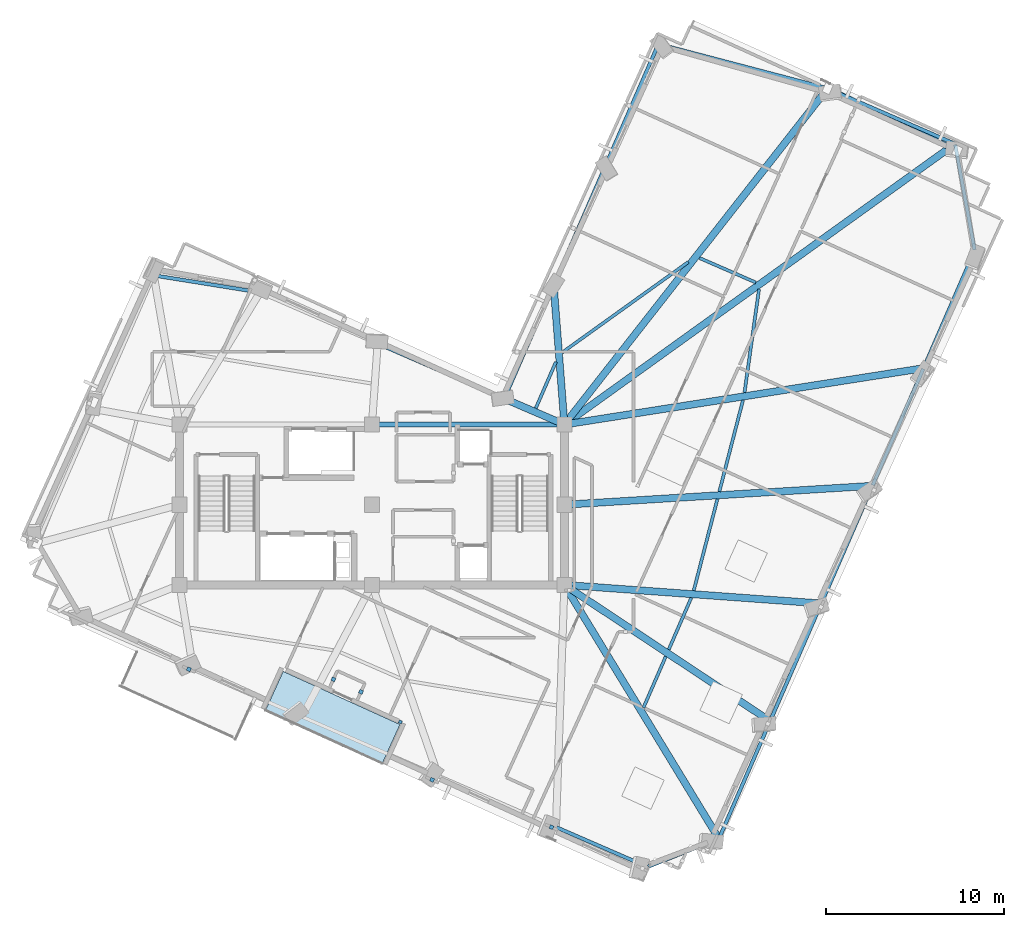
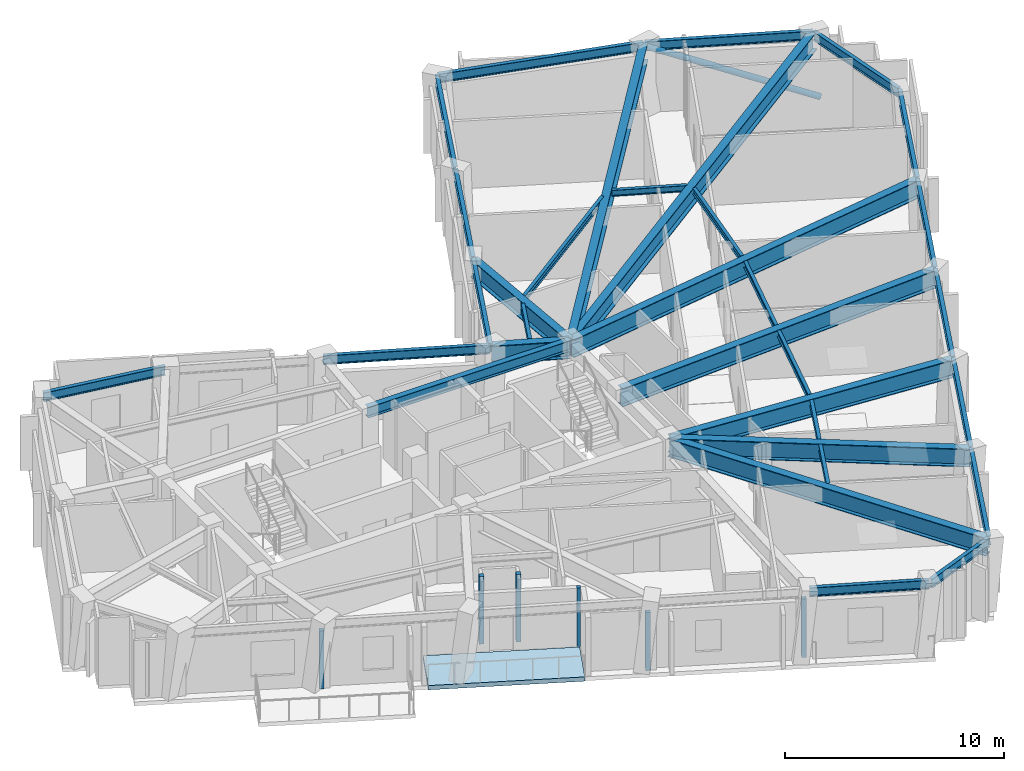
# One storey, part 2 of 13: 33 beams, 6 plates, 1 member, 1 slab.
"""IFC4 building model written with IfcOpenShell, lengths in metres."""

from ifc_helpers import new_model, si_unit, direction, frame, origin, origin_2d, place, context, subcontext, project, spatial, polyline, rectangle, hollow_circle, i_section, outline, extrude, material, layer, layer_set, material_profile, profile_set, type_object, element, save


model = new_model("IFC4")

# Units and contexts
model_context = context("Model", 3, precision=1e-05, world=origin(), true_north=direction((0.0, 1.0)))
body_context = subcontext(model_context, "Body", "Model", "MODEL_VIEW")
ifc_project = project(units=[si_unit("LENGTHUNIT", "METRE"), si_unit("AREAUNIT", "SQUARE_METRE"), si_unit("VOLUMEUNIT", "CUBIC_METRE"), si_unit("PLANEANGLEUNIT", "RADIAN"), si_unit("MASSUNIT", "GRAM", prefix="KILO")], contexts=[model_context])

# Site, building, storey
site_placement = place(None, origin())
site = spatial("IfcSite", under=ifc_project, at=site_placement, CompositionType="ELEMENT")
building_placement = place(site_placement, origin())
building = spatial("IfcBuilding", under=site, at=building_placement, Name="Gaonmaruhae Medical Tower", CompositionType="ELEMENT")
storey_placement = place(building_placement, frame((0.0, 0.0, 304.60009765625)))
storey = spatial("IfcBuildingStorey", under=building, at=storey_placement, Name="L73", CompositionType="ELEMENT", Elevation=304.60009765625)

# Beams
ifc_material_1 = material(Name="Steel SM420", Category="steel")
ifc_material_profile_1 = material_profile(ifc_material_1, i_section(OverallWidth=0.39990234375, OverallDepth=1.0, WebThickness=0.02197265625, FlangeThickness=0.035888671875, at=origin_2d()), Name="BH-1000x400x22x36")
ifc_profile_set_1 = profile_set([ifc_material_profile_1], Name="Steel SM420")
beam_type_1 = type_object("IfcBeamType", Name="BG-02 Refuge Floor Primary Girder (BH-1000x400x22x36)", PredefinedType="BEAM", material=ifc_profile_set_1)
beam_1_placement = place(storey_placement, frame((35.6259765625, 7.75732421875, 3.27978515625), z_axis=(0.520036625826, -0.854143961988, 0.0), x_axis=(0.854143961988, 0.520036625826, 0.0)))
element("IfcBeam", 1, at=beam_1_placement, inside=storey, type_object=beam_type_1, Name="L73 Radial Primary Girder S01", PredefinedType="BEAM", context=body_context, shape_type="SweptSolid", body=[
    extrude(i_section(OverallWidth=0.39990234375, OverallDepth=1.0, WebThickness=0.02197265625, FlangeThickness=0.035888671875, at=origin_2d()), origin(), (0.0, 0.0, 1.0), 16.58154296875),
])
beam_2_placement = place(storey_placement, frame((35.6416015625, 7.7724609375, 3.27978515625), z_axis=(0.833770161097, -0.552111690208, 0.0), x_axis=(0.552111690208, 0.833770161097, 0.0)))
element("IfcBeam", 2, at=beam_2_placement, inside=storey, type_object=beam_type_1, Name="L73 Radial Primary Girder S02", PredefinedType="BEAM", context=body_context, shape_type="SweptSolid", body=[
    extrude(i_section(OverallWidth=0.39990234375, OverallDepth=1.0, WebThickness=0.02197265625, FlangeThickness=0.035888671875, at=origin_2d()), origin(), (0.0, 0.0, 1.0), 13.748291015625),
])
beam_3_placement = place(storey_placement, frame((35.64990234375, 7.79638671875, 3.27978515625), z_axis=(0.997394062708, -0.072146265841, 0.0), x_axis=(0.072146265841, 0.997394062708, 0.0)))
element("IfcBeam", 3, at=beam_3_placement, inside=storey, type_object=beam_type_1, Name="L73 Radial Primary Girder S03", PredefinedType="BEAM", context=body_context, shape_type="SweptSolid", body=[
    extrude(i_section(OverallWidth=0.39990234375, OverallDepth=1.0, WebThickness=0.02197265625, FlangeThickness=0.035888671875, at=origin_2d()), origin(), (0.0, 0.0, 1.0), 14.354736328125),
])
beam_4_placement = place(storey_placement, frame((35.64990234375, 12.302978515625, 3.27978515625), z_axis=(0.998125311209, 0.061203456791, 0.0), x_axis=(-0.061203456791, 0.998125311209, 0.0)))
element("IfcBeam", 4, at=beam_4_placement, inside=storey, type_object=beam_type_1, Name="L73 Radial Primary Girder S04", PredefinedType="BEAM", context=body_context, shape_type="SweptSolid", body=[
    extrude(i_section(OverallWidth=0.39990234375, OverallDepth=1.0, WebThickness=0.02197265625, FlangeThickness=0.035888671875, at=origin_2d()), origin(), (0.0, 0.0, 1.0), 17.220458984375),
])
beam_5_placement = place(storey_placement, frame((35.6494140625, 16.807861328125, 3.27978515625), z_axis=(0.987915736395, 0.15499192812, 0.0), x_axis=(-0.15499192812, 0.987915736395, 0.0)))
element("IfcBeam", 5, at=beam_5_placement, inside=storey, type_object=beam_type_1, Name="L73 Radial Primary Girder S05", PredefinedType="BEAM", context=body_context, shape_type="SweptSolid", body=[
    extrude(i_section(OverallWidth=0.39990234375, OverallDepth=1.0, WebThickness=0.02197265625, FlangeThickness=0.035888671875, at=origin_2d()), origin(), (0.0, 0.0, 1.0), 20.3056640625),
])
beam_6_placement = place(storey_placement, frame((35.640625, 16.8291015625, 3.27978515625), z_axis=(0.812127869731, 0.583479496818, 0.0), x_axis=(-0.583479496818, 0.812127869731, 0.0)))
element("IfcBeam", 6, at=beam_6_placement, inside=storey, type_object=beam_type_1, Name="L73 Radial Primary Girder E01", PredefinedType="BEAM", context=body_context, shape_type="SweptSolid", body=[
    extrude(i_section(OverallWidth=0.39990234375, OverallDepth=1.0, WebThickness=0.02197265625, FlangeThickness=0.035888671875, at=origin_2d()), origin(), (0.0, 0.0, 1.0), 26.89794921875),
])
beam_7_placement = place(storey_placement, frame((35.630859375, 16.83935546875, 3.27978515625), z_axis=(0.616575305367, 0.78729593725, 0.0), x_axis=(-0.78729593725, 0.616575305367, 0.0)))
element("IfcBeam", 7, at=beam_7_placement, inside=storey, type_object=beam_type_1, Name="L73 Radial Primary Girder E02", PredefinedType="BEAM", context=body_context, shape_type="SweptSolid", body=[
    extrude(i_section(OverallWidth=0.39990234375, OverallDepth=1.0, WebThickness=0.02197265625, FlangeThickness=0.035888671875, at=origin_2d()), origin(), (0.0, 0.0, 1.0), 23.859130859375),
])
beam_8_placement = place(storey_placement, frame((35.59619140625, 16.849853515625, 3.27978515625), z_axis=(-0.076722992115, 0.997052447207, 0.0), x_axis=(-0.997052447207, -0.076722992115, 0.0)))
element("IfcBeam", 8, at=beam_8_placement, inside=storey, type_object=beam_type_1, Name="L73 Radial Primary Girder EN02", PredefinedType="BEAM", context=body_context, shape_type="SweptSolid", body=[
    extrude(i_section(OverallWidth=0.39990234375, OverallDepth=1.0, WebThickness=0.02197265625, FlangeThickness=0.035888671875, at=origin_2d()), origin(), (0.0, 0.0, 1.0), 7.751708984375),
])
beam_9_placement = place(storey_placement, frame((35.55419921875, 16.81982421875, 3.27978515625), z_axis=(-0.918259431029, 0.395979314266, 0.0), x_axis=(-0.395979314266, -0.918259431029, 0.0)))
element("IfcBeam", 9, at=beam_9_placement, inside=storey, type_object=beam_type_1, Name="L73 Radial Primary Girder KN01", PredefinedType="BEAM", context=body_context, shape_type="SweptSolid", body=[
    extrude(i_section(OverallWidth=0.39990234375, OverallDepth=1.0, WebThickness=0.02197265625, FlangeThickness=0.035888671875, at=origin_2d()), origin(), (0.0, 0.0, 1.0), 3.57421875),
])
ifc_material_2 = material(Name="Steel SM355", Category="steel")
ifc_material_profile_2 = material_profile(ifc_material_2, i_section(OverallWidth=0.175048828125, OverallDepth=0.35009765625, WebThickness=0.007080078125, FlangeThickness=0.010986328125, FilletRadius=0.012939453125, at=origin_2d()), Name="H-350x175x7x11")
ifc_profile_set_2 = profile_set([ifc_material_profile_2], Name="Steel SM355")
beam_type_2 = type_object("IfcBeamType", Name="FJ-02 Upper Zone Ward Floor Joist (H-350x175x7x11)", PredefinedType="JOIST", material=ifc_profile_set_2)
beam_10_placement = place(storey_placement, frame((40.03759765625, 0.905517578125, 3.60498046875), z_axis=(0.39874601067, 0.917061404146, 0.0), x_axis=(-0.917061404146, 0.39874601067, 0.0)))
element("IfcBeam", 10, at=beam_10_placement, inside=storey, type_object=beam_type_2, Name="L73 Secondary Floor Joist FJ01", PredefinedType="JOIST", context=body_context, shape_type="SweptSolid", body=[
    extrude(i_section(OverallWidth=0.175048828125, OverallDepth=0.35009765625, WebThickness=0.007080078125, FlangeThickness=0.010986328125, FilletRadius=0.012939453125, at=origin_2d()), origin(), (0.0, 0.0, 1.0), 3.140380859375),
])
beam_11_placement = place(storey_placement, frame((41.45654296875, 4.1689453125, 3.60498046875), z_axis=(0.398742993355, 0.917062716094, 0.0), x_axis=(-0.917062716094, 0.398742993355, 0.0)))
element("IfcBeam", 11, at=beam_11_placement, inside=storey, type_object=beam_type_2, Name="L73 Secondary Floor Joist FJ02", PredefinedType="JOIST", context=body_context, shape_type="SweptSolid", body=[
    extrude(i_section(OverallWidth=0.175048828125, OverallDepth=0.35009765625, WebThickness=0.007080078125, FlangeThickness=0.010986328125, FilletRadius=0.012939453125, at=origin_2d()), origin(), (0.0, 0.0, 1.0), 3.1728515625),
])
beam_12_placement = place(storey_placement, frame((42.86083984375, 7.481201171875, 3.60498046875), z_axis=(0.250373159945, 0.968149410359, 0.0), x_axis=(-0.968149410359, 0.250373159945, 0.0)))
element("IfcBeam", 12, at=beam_12_placement, inside=storey, type_object=beam_type_2, Name="L73 Secondary Floor Joist FJ03", PredefinedType="JOIST", context=body_context, shape_type="SweptSolid", body=[
    extrude(i_section(OverallWidth=0.175048828125, OverallDepth=0.35009765625, WebThickness=0.007080078125, FlangeThickness=0.010986328125, FilletRadius=0.012939453125, at=origin_2d()), origin(), (0.0, 0.0, 1.0), 5.30859375),
])
beam_13_placement = place(storey_placement, frame((44.298095703125, 13.03955078125, 3.60498046875), z_axis=(0.25037313325, 0.968149417263, 0.0), x_axis=(-0.968149417263, 0.25037313325, 0.0)))
element("IfcBeam", 13, at=beam_13_placement, inside=storey, type_object=beam_type_2, Name="L73 Secondary Floor Joist FJ04", PredefinedType="JOIST", context=body_context, shape_type="SweptSolid", body=[
    extrude(i_section(OverallWidth=0.175048828125, OverallDepth=0.35009765625, WebThickness=0.007080078125, FlangeThickness=0.010986328125, FilletRadius=0.012939453125, at=origin_2d()), origin(), (0.0, 0.0, 1.0), 5.2939453125),
])
beam_14_placement = place(storey_placement, frame((45.70947265625, 18.594482421875, 3.60498046875), z_axis=(0.138970704931, 0.990296492557, 0.0), x_axis=(-0.990296492557, 0.138970704931, 0.0)))
element("IfcBeam", 14, at=beam_14_placement, inside=storey, type_object=beam_type_2, Name="L73 Secondary Floor Joist FJ05", PredefinedType="JOIST", context=body_context, shape_type="SweptSolid", body=[
    extrude(i_section(OverallWidth=0.175048828125, OverallDepth=0.35009765625, WebThickness=0.007080078125, FlangeThickness=0.010986328125, FilletRadius=0.012939453125, at=origin_2d()), origin(), (0.0, 0.0, 1.0), 5.85888671875),
])
beam_15_placement = place(storey_placement, frame((46.34375, 24.771484375, 3.60498046875), z_axis=(-0.917037412136, 0.39880118448, 0.0), x_axis=(-0.39880118448, -0.917037412136, 0.0)))
element("IfcBeam", 15, at=beam_15_placement, inside=storey, type_object=beam_type_2, Name="L73 Secondary Floor Joist FJ06", PredefinedType="JOIST", context=body_context, shape_type="SweptSolid", body=[
    extrude(i_section(OverallWidth=0.175048828125, OverallDepth=0.35009765625, WebThickness=0.007080078125, FlangeThickness=0.010986328125, FilletRadius=0.012939453125, at=origin_2d()), origin(), (0.0, 0.0, 1.0), 3.448486328125),
])
beam_16_placement = place(storey_placement, frame((42.553955078125, 25.921142578125, 3.60498046875), z_axis=(-0.812434971378, -0.583051813548, 0.0), x_axis=(0.583051813548, -0.812434971378, 0.0)))
element("IfcBeam", 16, at=beam_16_placement, inside=storey, type_object=beam_type_2, Name="L73 Secondary Floor Joist FJ07", PredefinedType="JOIST", context=body_context, shape_type="SweptSolid", body=[
    extrude(i_section(OverallWidth=0.175048828125, OverallDepth=0.35009765625, WebThickness=0.007080078125, FlangeThickness=0.010986328125, FilletRadius=0.012939453125, at=origin_2d()), origin(), (0.0, 0.0, 1.0), 8.690185546875),
])
beam_17_placement = place(storey_placement, frame((35.1259765625, 20.31689453125, 3.60498046875), z_axis=(-0.398704074368, -0.917079637263, 0.0), x_axis=(0.917079637263, -0.398704074368, 0.0)))
element("IfcBeam", 17, at=beam_17_placement, inside=storey, type_object=beam_type_2, Name="L73 Secondary Floor Joist FJ08", PredefinedType="JOIST", context=body_context, shape_type="SweptSolid", body=[
    extrude(i_section(OverallWidth=0.175048828125, OverallDepth=0.35009765625, WebThickness=0.007080078125, FlangeThickness=0.010986328125, FilletRadius=0.012939453125, at=origin_2d()), origin(), (0.0, 0.0, 1.0), 2.835693359375),
])

# Member
ifc_material_profile_3 = material_profile(ifc_material_2, hollow_circle(Radius=0.1591796875, WallThickness=0.01025390625, at=origin_2d()), Name="CHS-318.5x10.3")
ifc_profile_set_3 = profile_set([ifc_material_profile_3], Name="Steel SM355")
member_type = type_object("IfcMemberType", Name="PB-03 Perimeter Solid-Bay Tube Brace Upper (CHS-318.5x10.3)", PredefinedType="BRACE", material=ifc_profile_set_3)
member_placement = place(storey_placement, frame((57.651123046875, 32.15478515625, 0.25), z_axis=(-0.834675256622, 0.402302722474, 0.376124627581), x_axis=(-0.434185351206, -0.900823556973, 0.0)))
element("IfcMember", 18, at=member_placement, inside=storey, type_object=member_type, Name="L73 Perimeter Tube Solid-Bay Brace E01-E02", PredefinedType="BRACE", context=body_context, shape_type="SweptSolid", body=[
    extrude(hollow_circle(Radius=0.1591796875, WallThickness=0.01025390625, at=origin_2d()), origin(), (0.0, 0.0, 1.0), 8.719970703125),
])

# Beams
ifc_material_profile_4 = material_profile(ifc_material_1, i_section(OverallWidth=0.300048828125, OverallDepth=0.60009765625, WebThickness=0.011962890625, FlangeThickness=0.02001953125, FilletRadius=0.012939453125, at=origin_2d()), Name="H-600x300x12x20")
ifc_profile_set_4 = profile_set([ifc_material_profile_4], Name="Steel SM420")
beam_type_3 = type_object("IfcBeamType", Name="PG-04 Zone 4 Radial Floor Girder (H-600x300x12x20)", PredefinedType="BEAM", material=ifc_profile_set_4)
beam_18_placement = place(storey_placement, frame((24.85009765625, 16.800048828125, 3.47998046875), z_axis=(1.0, 0.0, 0.0), x_axis=(0.0, 1.0, 0.0)))
element("IfcBeam", 19, at=beam_18_placement, inside=storey, type_object=beam_type_3, Name="L73 Beam BM-L73-CG-N2", PredefinedType="BEAM", context=body_context, shape_type="SweptSolid", body=[
    extrude(i_section(OverallWidth=0.300048828125, OverallDepth=0.60009765625, WebThickness=0.011962890625, FlangeThickness=0.02001953125, FilletRadius=0.012939453125, at=origin_2d()), origin(), (0.0, 0.0, 1.0), 10.699951171875),
])
ifc_material_profile_5 = material_profile(ifc_material_2, i_section(OverallWidth=0.199951171875, OverallDepth=0.5, WebThickness=0.010009765625, FlangeThickness=0.01611328125, FilletRadius=0.012939453125, at=origin_2d()), Name="H-500x200x10x16")
ifc_profile_set_5 = profile_set([ifc_material_profile_5], Name="Steel SM355")
beam_type_4 = type_object("IfcBeamType", Name="SP-02 Upper Perimeter Spandrel Beam (H-500x200x10x16)", PredefinedType="SPANDREL", material=ifc_profile_set_5)
beam_19_placement = place(storey_placement, frame((44.291015625, -6.411865234375, 3.52978515625), z_axis=(0.398747426125, 0.917060788693, 0.0), x_axis=(-0.917060788693, 0.398747426125, 0.0)))
element("IfcBeam", 20, at=beam_19_placement, inside=storey, type_object=beam_type_4, Name="L73 Perimeter Spandrel Beam S01-S02", PredefinedType="SPANDREL", context=body_context, shape_type="SweptSolid", body=[
    extrude(i_section(OverallWidth=0.199951171875, OverallDepth=0.5, WebThickness=0.010009765625, FlangeThickness=0.01611328125, FilletRadius=0.012939453125, at=origin_2d()), origin(), (0.0, 0.0, 1.0), 7.1201171875),
])
beam_20_placement = place(storey_placement, frame((47.162109375, 0.191162109375, 3.52978515625), z_axis=(0.398759965154, 0.917055336493, 0.0), x_axis=(-0.917055336493, 0.398759965154, 0.0)))
element("IfcBeam", 21, at=beam_20_placement, inside=storey, type_object=beam_type_4, Name="L73 Perimeter Spandrel Beam S02-S03", PredefinedType="SPANDREL", context=body_context, shape_type="SweptSolid", body=[
    extrude(i_section(OverallWidth=0.199951171875, OverallDepth=0.5, WebThickness=0.010009765625, FlangeThickness=0.01611328125, FilletRadius=0.012939453125, at=origin_2d()), origin(), (0.0, 0.0, 1.0), 7.119873046875),
])
for number, where, z_axis, x_axis, name in (
    (22, (50.032958984375, 6.7939453125, 3.52978515625), (0.398747426125, 0.917060788693, 0.0), (-0.917060788693, 0.398747426125, 0.0), "L73 Perimeter Spandrel Beam S03-S04"),
    (23, (52.904052734375, 13.396728515625, 3.52978515625), (0.398747426125, 0.917060788693, 0.0), (-0.917060788693, 0.398747426125, 0.0), "L73 Perimeter Spandrel Beam S04-S05"),
):
    element("IfcBeam", number, at=place(storey_placement, frame(where, z_axis=z_axis, x_axis=x_axis)), inside=storey, type_object=beam_type_4, Name=name, PredefinedType="SPANDREL", context=body_context, shape_type="SweptSolid", body=[
        extrude(i_section(OverallWidth=0.199951171875, OverallDepth=0.5, WebThickness=0.010009765625, FlangeThickness=0.01611328125, FilletRadius=0.012939453125, at=origin_2d()), origin(), (0.0, 0.0, 1.0), 7.1201171875),
    ])
beam_21_placement = place(storey_placement, frame((55.775146484375, 19.99951171875, 3.52978515625), z_axis=(0.398718588421, 0.917073327083, 0.0), x_axis=(-0.917073327083, 0.398718588421, 0.0)))
element("IfcBeam", 24, at=beam_21_placement, inside=storey, type_object=beam_type_4, Name="L73 Perimeter Spandrel Beam S05-S06", PredefinedType="SPANDREL", context=body_context, shape_type="SweptSolid", body=[
    extrude(i_section(OverallWidth=0.199951171875, OverallDepth=0.5, WebThickness=0.010009765625, FlangeThickness=0.01611328125, FilletRadius=0.012939453125, at=origin_2d()), origin(), (0.0, 0.0, 1.0), 7.119873046875),
])
beam_22_placement = place(storey_placement, frame((58.622802734375, 26.60498046875, 3.52978515625), z_axis=(-0.181402379506, 0.983408957001, 0.0), x_axis=(-0.983408957001, -0.181402379506, 0.0)))
element("IfcBeam", 25, at=beam_22_placement, inside=storey, type_object=beam_type_4, Name="L73 Perimeter Spandrel Beam S06-E01", PredefinedType="SPANDREL", context=body_context, shape_type="SweptSolid", body=[
    extrude(i_section(OverallWidth=0.199951171875, OverallDepth=0.5, WebThickness=0.010009765625, FlangeThickness=0.01611328125, FilletRadius=0.012939453125, at=origin_2d()), origin(), (0.0, 0.0, 1.0), 6.0078125),
])
beam_23_placement = place(storey_placement, frame((57.489013671875, 32.568603515625, 3.52978515625), z_axis=(-0.91705648068, 0.398757333778, 0.0), x_axis=(-0.398757333778, -0.91705648068, 0.0)))
element("IfcBeam", 26, at=beam_23_placement, inside=storey, type_object=beam_type_4, Name="L73 Perimeter Spandrel Beam E01-E02", PredefinedType="SPANDREL", context=body_context, shape_type="SweptSolid", body=[
    extrude(i_section(OverallWidth=0.199951171875, OverallDepth=0.5, WebThickness=0.010009765625, FlangeThickness=0.01611328125, FilletRadius=0.012939453125, at=origin_2d()), origin(), (0.0, 0.0, 1.0), 7.719970703125),
])
beam_24_placement = place(storey_placement, frame((50.333984375, 35.673095703125, 3.52978515625), z_axis=(-0.967227039177, 0.253913084904, 0.0), x_axis=(-0.253913084904, -0.967227039177, 0.0)))
element("IfcBeam", 27, at=beam_24_placement, inside=storey, type_object=beam_type_4, Name="L73 Perimeter Spandrel Beam E02-E03", PredefinedType="SPANDREL", context=body_context, shape_type="SweptSolid", body=[
    extrude(i_section(OverallWidth=0.199951171875, OverallDepth=0.5, WebThickness=0.010009765625, FlangeThickness=0.01611328125, FilletRadius=0.012939453125, at=origin_2d()), origin(), (0.0, 0.0, 1.0), 9.7353515625),
])
beam_25_placement = place(storey_placement, frame((40.863037109375, 38.118408203125, 3.52978515625), z_axis=(-0.398738062403, -0.917064860079, 0.0), x_axis=(0.917064860079, -0.398738062403, 0.0)))
element("IfcBeam", 28, at=beam_25_placement, inside=storey, type_object=beam_type_4, Name="L73 Perimeter Spandrel Beam E03-EN01", PredefinedType="SPANDREL", context=body_context, shape_type="SweptSolid", body=[
    extrude(i_section(OverallWidth=0.199951171875, OverallDepth=0.5, WebThickness=0.010009765625, FlangeThickness=0.01611328125, FilletRadius=0.012939453125, at=origin_2d()), origin(), (0.0, 0.0, 1.0), 7.469970703125),
])
beam_26_placement = place(storey_placement, frame((37.8525390625, 31.194580078125, 3.52978515625), z_axis=(-0.398759965154, -0.917055336493, 0.0), x_axis=(0.917055336493, -0.398759965154, 0.0)))
element("IfcBeam", 29, at=beam_26_placement, inside=storey, type_object=beam_type_4, Name="L73 Perimeter Spandrel Beam EN01-EN02", PredefinedType="SPANDREL", context=body_context, shape_type="SweptSolid", body=[
    extrude(i_section(OverallWidth=0.199951171875, OverallDepth=0.5, WebThickness=0.010009765625, FlangeThickness=0.01611328125, FilletRadius=0.012939453125, at=origin_2d()), origin(), (0.0, 0.0, 1.0), 7.119873046875),
])
beam_27_placement = place(storey_placement, frame((34.981689453125, 24.591796875, 3.52978515625), z_axis=(-0.398768993563, -0.917051410649, 0.0), x_axis=(0.917051410649, -0.398768993563, 0.0)))
element("IfcBeam", 30, at=beam_27_placement, inside=storey, type_object=beam_type_4, Name="L73 Perimeter Spandrel Beam EN02-KN01", PredefinedType="SPANDREL", context=body_context, shape_type="SweptSolid", body=[
    extrude(i_section(OverallWidth=0.199951171875, OverallDepth=0.5, WebThickness=0.010009765625, FlangeThickness=0.01611328125, FilletRadius=0.012939453125, at=origin_2d()), origin(), (0.0, 0.0, 1.0), 6.869873046875),
])
beam_28_placement = place(storey_placement, frame((32.189453125, 18.27099609375, 3.52978515625), z_axis=(-0.917059428629, 0.398750554059, 0.0), x_axis=(-0.398750554059, -0.917059428629, 0.0)))
element("IfcBeam", 31, at=beam_28_placement, inside=storey, type_object=beam_type_4, Name="L73 Perimeter Spandrel Beam KN01-NE01", PredefinedType="SPANDREL", context=body_context, shape_type="SweptSolid", body=[
    extrude(i_section(OverallWidth=0.199951171875, OverallDepth=0.5, WebThickness=0.010009765625, FlangeThickness=0.01611328125, FilletRadius=0.012939453125, at=origin_2d()), origin(), (0.0, 0.0, 1.0), 7.669921875),
])
beam_29_placement = place(storey_placement, frame((18.4765625, 24.22265625, 3.52978515625), z_axis=(-0.987363817678, 0.158469844265, 0.0), x_axis=(-0.158469844265, -0.987363817678, 0.0)))
element("IfcBeam", 32, at=beam_29_placement, inside=storey, type_object=beam_type_4, Name="L73 Perimeter Spandrel Beam NE02-N01", PredefinedType="SPANDREL", context=body_context, shape_type="SweptSolid", body=[
    extrude(i_section(OverallWidth=0.199951171875, OverallDepth=0.5, WebThickness=0.010009765625, FlangeThickness=0.01611328125, FilletRadius=0.012939453125, at=origin_2d()), origin(), (0.0, 0.0, 1.0), 5.958984375),
])
beam_30_placement = place(storey_placement, frame((35.1630859375, -5.812255859375, 3.52978515625), z_axis=(0.917050366415, -0.398771394984, 0.0), x_axis=(0.398771394984, 0.917050366415, 0.0)))
element("IfcBeam", 33, at=beam_30_placement, inside=storey, type_object=beam_type_4, Name="L73 Perimeter Spandrel Beam W05-W06", PredefinedType="SPANDREL", context=body_context, shape_type="SweptSolid", body=[
    extrude(i_section(OverallWidth=0.199951171875, OverallDepth=0.5, WebThickness=0.010009765625, FlangeThickness=0.01611328125, FilletRadius=0.012939453125, at=origin_2d()), origin(), (0.0, 0.0, 1.0), 5.519775390625),
])
beam_31_placement = place(storey_placement, frame((40.299072265625, -8.0146484375, 3.52978515625), z_axis=(0.930416736169, 0.366503338397, 0.0), x_axis=(-0.366503338397, 0.930416736169, 0.0)))
element("IfcBeam", 34, at=beam_31_placement, inside=storey, type_object=beam_type_4, Name="L73 Perimeter Spandrel Beam W06-S01", PredefinedType="SPANDREL", context=body_context, shape_type="SweptSolid", body=[
    extrude(i_section(OverallWidth=0.199951171875, OverallDepth=0.5, WebThickness=0.010009765625, FlangeThickness=0.01611328125, FilletRadius=0.012939453125, at=origin_2d()), origin(), (0.0, 0.0, 1.0), 4.2333984375),
])

# Plates
ifc_material_3 = material(Name="Anodised aluminium 6063-T6", Category="aluminium")
ifc_layer_1 = layer(ifc_material_3, 0.011962890625)
ifc_layer_set_1 = layer_set([ifc_layer_1], Name="Anodised aluminium 6063-T6")
plate_type = type_object("IfcPlateType", Name="PP-01 Interior Partition Corner Stiffener Plate", PredefinedType="SHEET", material=ifc_layer_set_1)
plate_1_placement = place(storey_placement, frame((26.393798828125, 0.1083984375, 0.0), z_axis=(0.0, 0.0, 1.0), x_axis=(-0.910322812467, 0.413898993841, 0.0)))
element("IfcPlate", 35, at=plate_1_placement, inside=storey, type_object=plate_type, Name="L73 Partition End Jamb Post Plate PLT-L73-ENDP-TERB-0", PredefinedType="SHEET", context=body_context, shape_type="SweptSolid", body=[
    extrude(rectangle(XDim=0.179931640625, YDim=0.179931640625, at=origin_2d()), origin(), (0.0, 0.0, 1.0), 3.264892578125),
])
plate_2_placement = place(storey_placement, frame((34.87646484375, -5.797607421875, 0.0), z_axis=(0.0, 0.0, 1.0), x_axis=(-0.910366150876, 0.41380366279, 0.0)))
element("IfcPlate", 36, at=plate_2_placement, inside=storey, type_object=plate_type, Name="L73 Partition Corner Stiffener Plate PLT-L73-JGP-PW016", PredefinedType="SHEET", context=body_context, shape_type="SweptSolid", body=[
    extrude(rectangle(XDim=0.219970703125, YDim=0.219970703125, at=origin_2d()), origin(), (0.0, 0.0, 1.0), 3.264892578125),
])
plate_3_placement = place(storey_placement, frame((28.176025390625, -3.14111328125, -0.000244140625), z_axis=(0.0, 0.0, 1.0), x_axis=(-0.910105970685, 0.414375580993, 0.0)))
element("IfcPlate", 37, at=plate_3_placement, inside=storey, type_object=plate_type, Name="L73 Partition Corner Stiffener Plate PLT-L73-JGP-PW043", PredefinedType="SHEET", context=body_context, shape_type="SweptSolid", body=[
    extrude(rectangle(XDim=0.219970703125, YDim=0.219970703125, at=origin_2d()), origin(), (0.0, 0.0, 1.0), 3.2451171875),
])
for number, where, z_axis, x_axis, name in (
    (38, (24.1845703125, 1.797119140625, 0.0), (0.0, 0.0, 1.0), (0.414296157687, 0.910142128311, 0.0), "L73 Partition Corner Stiffener Plate PLT-L73-JGP-PW047"),
    (39, (22.636474609375, 2.5, 0.0), (0.0, 0.0, 1.0), (-0.414296157687, -0.910142128311, 0.0), "L73 Partition Corner Stiffener Plate PLT-L73-JGP-PW049"),
):
    element("IfcPlate", number, at=place(storey_placement, frame(where, z_axis=z_axis, x_axis=x_axis)), inside=storey, type_object=plate_type, Name=name, PredefinedType="SHEET", context=body_context, shape_type="SweptSolid", body=[
        extrude(rectangle(XDim=0.219970703125, YDim=0.219970703125, at=origin_2d()), origin(), (0.0, 0.0, 1.0), 3.780029296875),
    ])
plate_4_placement = place(storey_placement, frame((14.5224609375, 3.06689453125, -0.000244140625), z_axis=(0.0, 0.0, 1.0), x_axis=(-0.910409479303, 0.413708327201, 0.0)))
element("IfcPlate", 40, at=plate_4_placement, inside=storey, type_object=plate_type, Name="L73 Partition Corner Stiffener Plate PLT-L73-JGP-PW052", PredefinedType="SHEET", context=body_context, shape_type="SweptSolid", body=[
    extrude(rectangle(XDim=0.219970703125, YDim=0.219970703125, at=origin_2d()), origin(), (0.0, 0.0, 1.0), 3.2451171875),
])

# Slab
ifc_material_4 = material(Name="Concrete C40/50", Category="concrete")
ifc_layer_2 = layer(ifc_material_4, 0.239990234375)
ifc_layer_set_2 = layer_set([ifc_layer_2], Name="Concrete C40/50")
slab_type = type_object("IfcSlabType", Name="TS-240 Sky Garden & Recovery Terrace Slab", PredefinedType="FLOOR", material=ifc_layer_set_2)
slab_placement = place(storey_placement, frame((0.0, 0.0, -0.239990234375)))
element("IfcSlab", 41, at=slab_placement, inside=storey, type_object=slab_type, Name="L73 Outdoor Recovery Terrace Slab", PredefinedType="FLOOR", context=body_context, shape_type="SweptSolid", body=[
    extrude(outline(polyline([(25.37890625, -2.220458984375), (26.372314453125, -0.03564453125), (19.818115234375, 2.9443359375), (18.82470703125, 0.759521484375), (25.37890625, -2.220458984375)])), origin(), (0.0, 0.0, 1.0), 0.239990234375),
])

save(model, "model.ifc")
